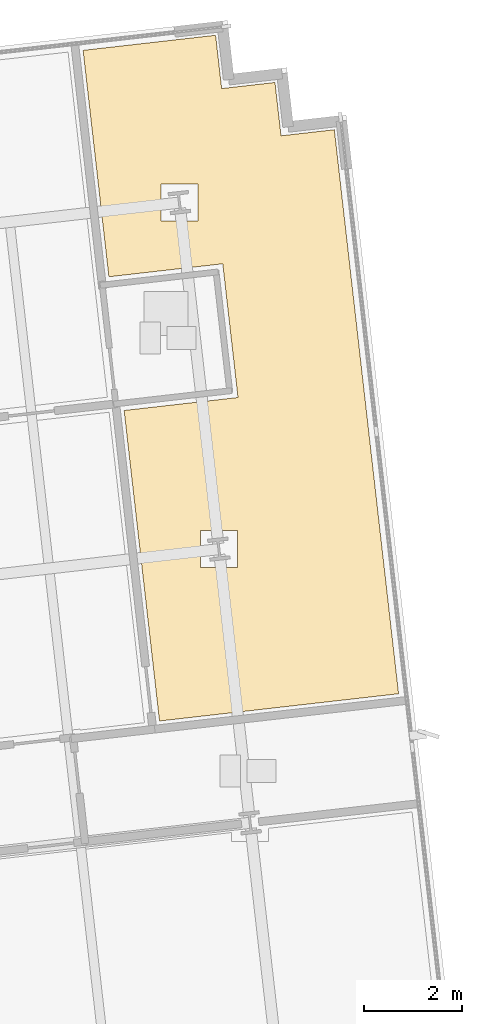
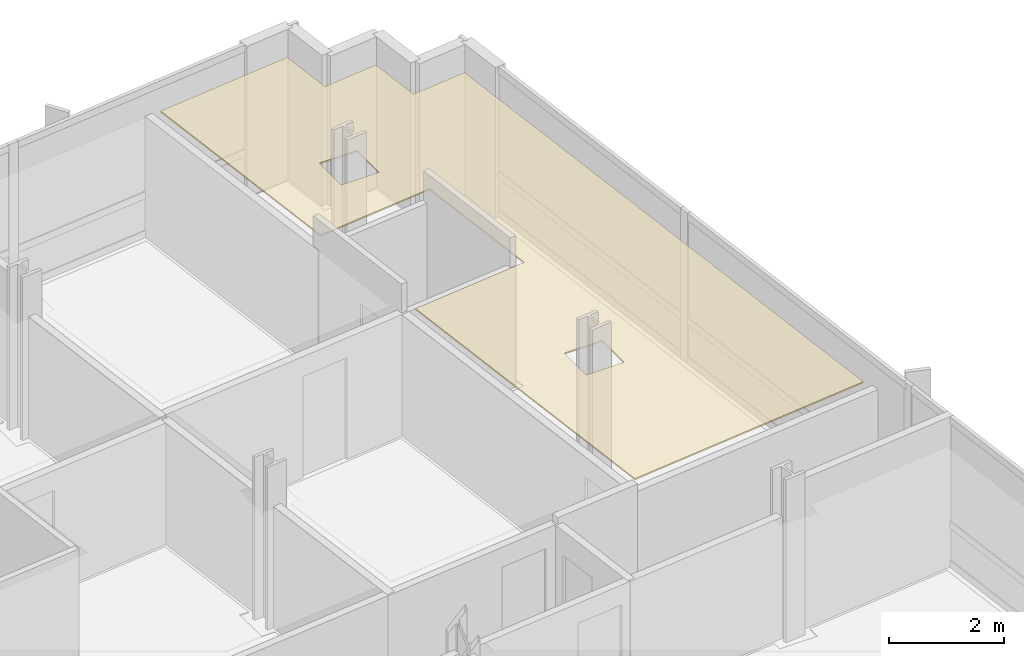
# One storey, part 16 of 17: 1 covering.
"""IFC4 building model written with IfcOpenShell, lengths in metres."""

import ifcopenshell
import ifcopenshell.guid

model = None  # the IFC model being written
_history = None  # IfcOwnerHistory: only IFC2X3 demands one
_inside = {}  # id of a spatial element -> (the spatial element, [elements in it])
_under = {}  # id of a project, library or spatial element -> (it, [spatial elements below it])
_declared = {}  # id of a project -> (the project, [libraries it declares])
_typed = {}  # id of a type object -> (the type object, [elements of that type])
_made_of = {}  # id of a material, layer set ... -> (it, [elements and type objects made of it])


def new_model(schema):
    """Start an empty IFC model of exactly this schema.

    Asked for "IFC4X3", IfcOpenShell would pick the latest addendum, in which some entities
    have other attributes; the version numbers below select the first issue.
    IFC2X3 requires an IfcOwnerHistory on every rooted entity: one is made here for all.
    """
    global model, _history
    if schema == "IFC4X3":
        model = ifcopenshell.file(schema_version=(4, 3, 0, 0))
    else:
        model = ifcopenshell.file(schema=schema)
    _inside.clear()
    _under.clear()
    _declared.clear()
    _typed.clear()
    _made_of.clear()
    _history = None
    if model.schema == "IFC2X3":
        org = make("IfcOrganization", Name="unknown")
        user = make(
            "IfcPersonAndOrganization",
            ThePerson=make("IfcPerson", FamilyName="unknown"),
            TheOrganization=org,
        )
        app = make(
            "IfcApplication",
            ApplicationDeveloper=org,
            Version="unknown",
            ApplicationFullName="unknown",
            ApplicationIdentifier="unknown",
        )
        _history = make(
            "IfcOwnerHistory",
            OwningUser=user,
            OwningApplication=app,
            ChangeAction="ADDED",
            CreationDate=0,
        )
    return model


def make(cls, **values):
    """One entity of the class cls with the attributes given. An attribute that is None is left unset."""
    return model.create_entity(
        cls, **{name: value for name, value in values.items() if value is not None}
    )


def rooted(cls, **values):
    """An entity with a GlobalId (a new one), such as an element, a storey or a relation."""
    return make(cls, GlobalId=ifcopenshell.guid.new(), OwnerHistory=_history, **values)


def si_unit(unit_type, name, prefix=None):
    """IfcSIUnit, for example si_unit("LENGTHUNIT", "METRE", prefix="MILLI")."""
    return make("IfcSIUnit", UnitType=unit_type, Prefix=prefix, Name=name)


def assignment(units):
    """IfcUnitAssignment: the units of a project."""
    return None if units is None else make("IfcUnitAssignment", Units=units)


def point(xyz):
    """IfcCartesianPoint."""
    return None if xyz is None else make("IfcCartesianPoint", Coordinates=xyz)


def direction(xyz):
    """IfcDirection."""
    return None if xyz is None else make("IfcDirection", DirectionRatios=xyz)


def frame(location, z_axis=None, x_axis=None):
    """IfcAxis2Placement3D, a coordinate frame: its origin and axes. An axis left out is left unset."""
    return make(
        "IfcAxis2Placement3D",
        Location=point(location),
        Axis=direction(z_axis),
        RefDirection=direction(x_axis),
    )


def origin():
    """The frame at (0, 0, 0) with its axes left unset."""
    return frame((0.0, 0.0, 0.0))


def place(relative_to, where):
    """IfcLocalPlacement: puts the frame where relative to a parent placement (None: the world)."""
    return make(
        "IfcLocalPlacement", PlacementRelTo=relative_to, RelativePlacement=where
    )


def context(
    kind, dimensions, precision=None, world=None, true_north=None, identifier=None
):
    """IfcGeometricRepresentationContext, for example the 3D "Model" context."""
    return make(
        "IfcGeometricRepresentationContext",
        ContextIdentifier=identifier,
        ContextType=kind,
        CoordinateSpaceDimension=dimensions,
        Precision=precision,
        WorldCoordinateSystem=world,
        TrueNorth=true_north,
    )


def subcontext(parent, identifier, kind, view, scale=None):
    """IfcGeometricRepresentationSubContext, for example "Body" below "Model"."""
    return make(
        "IfcGeometricRepresentationSubContext",
        ContextIdentifier=identifier,
        ContextType=kind,
        ParentContext=parent,
        TargetScale=scale,
        TargetView=view,
    )


def project(units=None, contexts=None):
    """IfcProject with its units and contexts."""
    return rooted(
        "IfcProject",
        Name="project",
        RepresentationContexts=contexts,
        UnitsInContext=assignment(units),
    )


def spatial(cls, under=None, at=None, **own):
    """A site, building, storey or space (cls), placed at a placement, below another one or the project."""
    s = rooted(cls, ObjectPlacement=at, **own)
    if under is not None:
        _under.setdefault(under.id(), (under, []))[1].append(s)
    return s


def polyline(points):
    """IfcPolyline through the points."""
    return make("IfcPolyline", Points=[point(p) for p in points])


def outline(outer, holes=None, kind="AREA"):
    """IfcArbitraryClosedProfileDef: a profile drawn as a closed curve; with holes, ...WithVoids."""
    if holes is None:
        return make("IfcArbitraryClosedProfileDef", ProfileType=kind, OuterCurve=outer)
    return make(
        "IfcArbitraryProfileDefWithVoids",
        ProfileType=kind,
        OuterCurve=outer,
        InnerCurves=holes,
    )


def extrude(swept, where, along, depth):
    """IfcExtrudedAreaSolid: the profile swept, set in the frame where, extruded along a direction by depth."""
    return make(
        "IfcExtrudedAreaSolid",
        SweptArea=swept,
        Position=where,
        ExtrudedDirection=direction(along),
        Depth=depth,
    )


def shape(context_of_items, identifier, shape_type, items):
    """IfcShapeRepresentation: the items that make up one representation, for example the "Body"."""
    return make(
        "IfcShapeRepresentation",
        ContextOfItems=context_of_items,
        RepresentationIdentifier=identifier,
        RepresentationType=shape_type,
        Items=items,
    )


def material(Name=None, Category=None):
    """IfcMaterial."""
    return make("IfcMaterial", Name=Name, Category=Category)


def layer(
    of_material, thickness, ventilated=None, Name=None, Category=None, Priority=None
):
    """IfcMaterialLayer: one layer of a wall or slab, of a material (None: an air gap)."""
    return make(
        "IfcMaterialLayer",
        Material=of_material,
        LayerThickness=thickness,
        IsVentilated=ventilated,
        Name=Name,
        Category=Category,
        Priority=Priority,
    )


def layer_set(layers, Name=None):
    """IfcMaterialLayerSet."""
    return make("IfcMaterialLayerSet", MaterialLayers=layers, LayerSetName=Name)


def made_of(thing, what):
    """Note that an element or type object is made of a material, layer set ...; save() writes the relation."""
    if what is not None:
        _made_of.setdefault(what.id(), (what, []))[1].append(thing)
    return thing


def type_object(cls, material=None, **own):
    """A type object (cls), such as IfcWallType, which elements share."""
    return made_of(rooted(cls, **own), material)


def element(
    cls,
    number,
    at=None,
    inside=None,
    cuts=None,
    type_object=None,
    material=None,
    context=None,
    identifier="Body",
    shape_type=None,
    held_by="IfcProductDefinitionShape",
    body=None,
    shapes=None,
    **own,
):
    """One element of the class cls, such as IfcWall. Its Tag is "e" and its number.

    at: its placement. inside: the storey or other place that contains it. cuts: it is an
    opening in that element (IfcRelVoidsElement). A single representation is given by context,
    identifier, shape_type and body (its items); several are given by shapes. held_by: the class
    of the entity that holds the representations. save() writes the other relations.
    """
    e = rooted(cls, Tag="e%d" % number, ObjectPlacement=at, **own)
    if body is not None:
        shapes = [shape(context, identifier, shape_type, body)]
    if shapes is not None:
        e.Representation = make(held_by, Representations=shapes)
    if inside is not None:
        _inside.setdefault(inside.id(), (inside, []))[1].append(e)
    if cuts is not None:
        rooted(
            "IfcRelVoidsElement", RelatingBuildingElement=cuts, RelatedOpeningElement=e
        )
    if type_object is not None:
        _typed.setdefault(type_object.id(), (type_object, []))[1].append(e)
    return made_of(e, material)


def aggregate(whole, parts):
    """IfcRelAggregates: a whole, such as a stair, and the parts it consists of."""
    return rooted("IfcRelAggregates", RelatingObject=whole, RelatedObjects=parts)


def save(model, path):
    """Write the relations noted so far, then the file.

    IfcRelAggregates (storeys below a building ...), IfcRelContainedInSpatialStructure (elements
    in a storey), IfcRelDefinesByType, IfcRelAssociatesMaterial and IfcRelDeclares: one each for
    every whole, place, type object, material and project.
    """
    for whole, parts in _under.values():
        aggregate(whole, parts)
    for where, things in _inside.values():
        rooted(
            "IfcRelContainedInSpatialStructure",
            RelatedElements=things,
            RelatingStructure=where,
        )
    for kind, things in _typed.values():
        rooted("IfcRelDefinesByType", RelatedObjects=things, RelatingType=kind)
    for what, things in _made_of.values():
        rooted("IfcRelAssociatesMaterial", RelatedObjects=things, RelatingMaterial=what)
    for by, libraries in _declared.values():
        rooted("IfcRelDeclares", RelatingContext=by, RelatedDefinitions=libraries)
    model.write(path)


model = new_model("IFC4")

# Units and contexts
model_context = context("Model", 3, precision=1e-05, world=origin(), true_north=direction((0.0, 1.0)))
body_context = subcontext(model_context, "Body", "Model", "MODEL_VIEW")
ifc_project = project(units=[si_unit("LENGTHUNIT", "METRE"), si_unit("AREAUNIT", "SQUARE_METRE"), si_unit("VOLUMEUNIT", "CUBIC_METRE"), si_unit("PLANEANGLEUNIT", "RADIAN"), si_unit("MASSUNIT", "GRAM", prefix="KILO")], contexts=[model_context])

# Site, building, storey
site_placement = place(None, origin())
site = spatial("IfcSite", under=ifc_project, at=site_placement, CompositionType="ELEMENT")
building_placement = place(site_placement, origin())
building = spatial("IfcBuilding", under=site, at=building_placement, Name="Solmavex Isthmus Hotel", CompositionType="ELEMENT")
storey_placement = place(building_placement, frame((0.0, 0.0, 195.14990234375)))
storey = spatial("IfcBuildingStorey", under=building, at=storey_placement, Name="L52", CompositionType="ELEMENT", Elevation=195.14990234375)

# Covering
ifc_material = material(Name="Gypsum plasterboard lining", Category="gypsum")
ifc_layer = layer(ifc_material, 0.030029296875)
ifc_layer_set = layer_set([ifc_layer], Name="Gypsum plasterboard lining")
covering_type = type_object("IfcCoveringType", Name="COV-CEIL-GYP", PredefinedType="CEILING", material=ifc_layer_set)
covering_placement = place(storey_placement, frame((0.0, 0.0, 2.6201171875)))
element("IfcCovering", 1, at=covering_placement, inside=storey, type_object=covering_type, Name="Suspended Acoustic Ceiling L52-SV06", PredefinedType="CEILING", context=body_context, shape_type="SweptSolid", body=[
    extrude(outline(polyline([(25.138427734375, 21.521484375), (25.013916015625, 22.6142578125), (24.194091796875, 22.52099609375), (22.29736328125, 22.304931640625), (22.826416015625, 17.662841796875), (25.1611328125, 17.928955078125), (25.4736328125, 15.186767578125), (23.138671875, 14.920654296875), (23.8642578125, 8.5537109375), (28.766357421875, 9.1123046875), (27.542236328125, 19.85791015625), (27.44873046875, 20.677490234375), (26.35595703125, 20.552978515625), (26.231201171875, 21.64599609375), (25.138427734375, 21.521484375)]), holes=[polyline([(24.7021484375, 11.697265625), (24.7021484375, 12.457275390625), (25.462158203125, 12.457275390625), (25.462158203125, 11.697265625), (24.7021484375, 11.697265625)]), polyline([(23.892578125, 19.5634765625), (24.652587890625, 19.5634765625), (24.652587890625, 18.803466796875), (23.892578125, 18.803466796875), (23.892578125, 19.5634765625)])]), origin(), (0.0, 0.0, 1.0), 0.030029296875),
])

save(model, "model.ifc")
